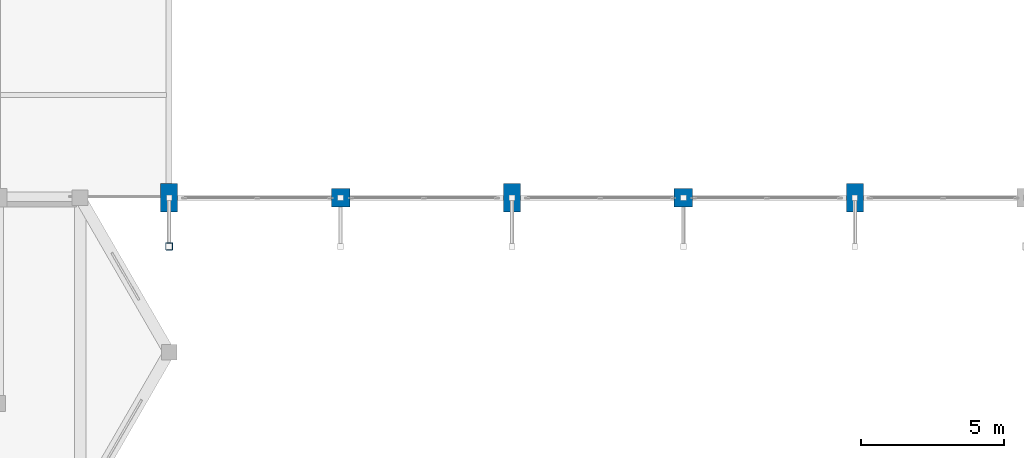
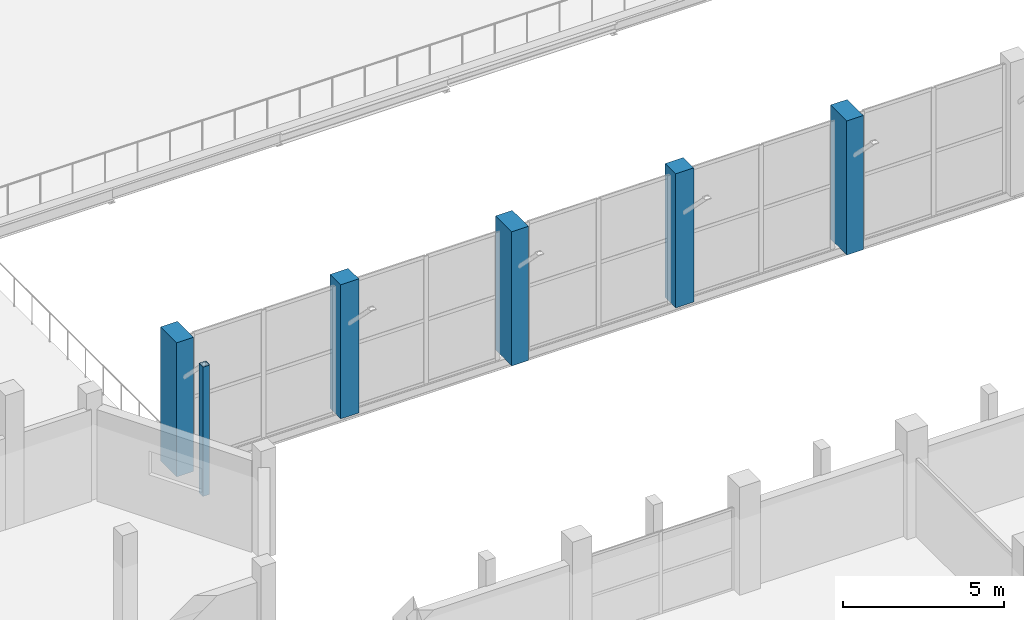
# One storey, part 2 of 127: 6 columns.
"""IFC4 building model written with IfcOpenShell, lengths in metres."""

import ifcopenshell
import ifcopenshell.guid

model = None  # the IFC model being written
_history = None  # IfcOwnerHistory: only IFC2X3 demands one
_inside = {}  # id of a spatial element -> (the spatial element, [elements in it])
_under = {}  # id of a project, library or spatial element -> (it, [spatial elements below it])
_declared = {}  # id of a project -> (the project, [libraries it declares])
_typed = {}  # id of a type object -> (the type object, [elements of that type])
_made_of = {}  # id of a material, layer set ... -> (it, [elements and type objects made of it])


def new_model(schema):
    """Start an empty IFC model of exactly this schema.

    Asked for "IFC4X3", IfcOpenShell would pick the latest addendum, in which some entities
    have other attributes; the version numbers below select the first issue.
    IFC2X3 requires an IfcOwnerHistory on every rooted entity: one is made here for all.
    """
    global model, _history
    if schema == "IFC4X3":
        model = ifcopenshell.file(schema_version=(4, 3, 0, 0))
    else:
        model = ifcopenshell.file(schema=schema)
    _inside.clear()
    _under.clear()
    _declared.clear()
    _typed.clear()
    _made_of.clear()
    _history = None
    if model.schema == "IFC2X3":
        org = make("IfcOrganization", Name="unknown")
        user = make(
            "IfcPersonAndOrganization",
            ThePerson=make("IfcPerson", FamilyName="unknown"),
            TheOrganization=org,
        )
        app = make(
            "IfcApplication",
            ApplicationDeveloper=org,
            Version="unknown",
            ApplicationFullName="unknown",
            ApplicationIdentifier="unknown",
        )
        _history = make(
            "IfcOwnerHistory",
            OwningUser=user,
            OwningApplication=app,
            ChangeAction="ADDED",
            CreationDate=0,
        )
    return model


def make(cls, **values):
    """One entity of the class cls with the attributes given. An attribute that is None is left unset."""
    return model.create_entity(
        cls, **{name: value for name, value in values.items() if value is not None}
    )


def rooted(cls, **values):
    """An entity with a GlobalId (a new one), such as an element, a storey or a relation."""
    return make(cls, GlobalId=ifcopenshell.guid.new(), OwnerHistory=_history, **values)


def si_unit(unit_type, name, prefix=None):
    """IfcSIUnit, for example si_unit("LENGTHUNIT", "METRE", prefix="MILLI")."""
    return make("IfcSIUnit", UnitType=unit_type, Prefix=prefix, Name=name)


def assignment(units):
    """IfcUnitAssignment: the units of a project."""
    return None if units is None else make("IfcUnitAssignment", Units=units)


def point(xyz):
    """IfcCartesianPoint."""
    return None if xyz is None else make("IfcCartesianPoint", Coordinates=xyz)


def direction(xyz):
    """IfcDirection."""
    return None if xyz is None else make("IfcDirection", DirectionRatios=xyz)


def frame(location, z_axis=None, x_axis=None):
    """IfcAxis2Placement3D, a coordinate frame: its origin and axes. An axis left out is left unset."""
    return make(
        "IfcAxis2Placement3D",
        Location=point(location),
        Axis=direction(z_axis),
        RefDirection=direction(x_axis),
    )


def frame_2d(location, x_axis=None):
    """IfcAxis2Placement2D, a coordinate frame in the plane: its origin and x axis."""
    return make(
        "IfcAxis2Placement2D", Location=point(location), RefDirection=direction(x_axis)
    )


def origin():
    """The frame at (0, 0, 0) with its axes left unset."""
    return frame((0.0, 0.0, 0.0))


def origin_2d():
    """The frame at (0, 0) in the plane with its x axis left unset."""
    return frame_2d((0.0, 0.0))


def place(relative_to, where):
    """IfcLocalPlacement: puts the frame where relative to a parent placement (None: the world)."""
    return make(
        "IfcLocalPlacement", PlacementRelTo=relative_to, RelativePlacement=where
    )


def context(
    kind, dimensions, precision=None, world=None, true_north=None, identifier=None
):
    """IfcGeometricRepresentationContext, for example the 3D "Model" context."""
    return make(
        "IfcGeometricRepresentationContext",
        ContextIdentifier=identifier,
        ContextType=kind,
        CoordinateSpaceDimension=dimensions,
        Precision=precision,
        WorldCoordinateSystem=world,
        TrueNorth=true_north,
    )


def subcontext(parent, identifier, kind, view, scale=None):
    """IfcGeometricRepresentationSubContext, for example "Body" below "Model"."""
    return make(
        "IfcGeometricRepresentationSubContext",
        ContextIdentifier=identifier,
        ContextType=kind,
        ParentContext=parent,
        TargetScale=scale,
        TargetView=view,
    )


def project(units=None, contexts=None):
    """IfcProject with its units and contexts."""
    return rooted(
        "IfcProject",
        Name="project",
        RepresentationContexts=contexts,
        UnitsInContext=assignment(units),
    )


def spatial(cls, under=None, at=None, **own):
    """A site, building, storey or space (cls), placed at a placement, below another one or the project."""
    s = rooted(cls, ObjectPlacement=at, **own)
    if under is not None:
        _under.setdefault(under.id(), (under, []))[1].append(s)
    return s


def profile(cls, at=None, kind="AREA", **sizes):
    """A parametric profile (cls). Its sizes go by their IFC names, for example OverallWidth=200.0."""
    return make(cls, ProfileType=kind, Position=at, **sizes)


def rectangle(**sizes):
    """IfcRectangleProfileDef."""
    return profile("IfcRectangleProfileDef", **sizes)


def hollow_rectangle(**sizes):
    """IfcRectangleHollowProfileDef."""
    return profile("IfcRectangleHollowProfileDef", **sizes)


def extrude(swept, where, along, depth):
    """IfcExtrudedAreaSolid: the profile swept, set in the frame where, extruded along a direction by depth."""
    return make(
        "IfcExtrudedAreaSolid",
        SweptArea=swept,
        Position=where,
        ExtrudedDirection=direction(along),
        Depth=depth,
    )


def shape(context_of_items, identifier, shape_type, items):
    """IfcShapeRepresentation: the items that make up one representation, for example the "Body"."""
    return make(
        "IfcShapeRepresentation",
        ContextOfItems=context_of_items,
        RepresentationIdentifier=identifier,
        RepresentationType=shape_type,
        Items=items,
    )


def material(Name=None, Category=None):
    """IfcMaterial."""
    return make("IfcMaterial", Name=Name, Category=Category)


def material_profile(
    of_material, cross_section, Name=None, Category=None, Priority=None
):
    """IfcMaterialProfile: a cross section and its material."""
    return make(
        "IfcMaterialProfile",
        Name=Name,
        Material=of_material,
        Profile=cross_section,
        Priority=Priority,
        Category=Category,
    )


def profile_set(profiles, Name=None, composite=None):
    """IfcMaterialProfileSet."""
    return make(
        "IfcMaterialProfileSet",
        Name=Name,
        MaterialProfiles=profiles,
        CompositeProfile=composite,
    )


def made_of(thing, what):
    """Note that an element or type object is made of a material, layer set ...; save() writes the relation."""
    if what is not None:
        _made_of.setdefault(what.id(), (what, []))[1].append(thing)
    return thing


def type_object(cls, material=None, **own):
    """A type object (cls), such as IfcWallType, which elements share."""
    return made_of(rooted(cls, **own), material)


def element(
    cls,
    number,
    at=None,
    inside=None,
    cuts=None,
    type_object=None,
    material=None,
    context=None,
    identifier="Body",
    shape_type=None,
    held_by="IfcProductDefinitionShape",
    body=None,
    shapes=None,
    **own,
):
    """One element of the class cls, such as IfcWall. Its Tag is "e" and its number.

    at: its placement. inside: the storey or other place that contains it. cuts: it is an
    opening in that element (IfcRelVoidsElement). A single representation is given by context,
    identifier, shape_type and body (its items); several are given by shapes. held_by: the class
    of the entity that holds the representations. save() writes the other relations.
    """
    e = rooted(cls, Tag="e%d" % number, ObjectPlacement=at, **own)
    if body is not None:
        shapes = [shape(context, identifier, shape_type, body)]
    if shapes is not None:
        e.Representation = make(held_by, Representations=shapes)
    if inside is not None:
        _inside.setdefault(inside.id(), (inside, []))[1].append(e)
    if cuts is not None:
        rooted(
            "IfcRelVoidsElement", RelatingBuildingElement=cuts, RelatedOpeningElement=e
        )
    if type_object is not None:
        _typed.setdefault(type_object.id(), (type_object, []))[1].append(e)
    return made_of(e, material)


def aggregate(whole, parts):
    """IfcRelAggregates: a whole, such as a stair, and the parts it consists of."""
    return rooted("IfcRelAggregates", RelatingObject=whole, RelatedObjects=parts)


def save(model, path):
    """Write the relations noted so far, then the file.

    IfcRelAggregates (storeys below a building ...), IfcRelContainedInSpatialStructure (elements
    in a storey), IfcRelDefinesByType, IfcRelAssociatesMaterial and IfcRelDeclares: one each for
    every whole, place, type object, material and project.
    """
    for whole, parts in _under.values():
        aggregate(whole, parts)
    for where, things in _inside.values():
        rooted(
            "IfcRelContainedInSpatialStructure",
            RelatedElements=things,
            RelatingStructure=where,
        )
    for kind, things in _typed.values():
        rooted("IfcRelDefinesByType", RelatedObjects=things, RelatingType=kind)
    for what, things in _made_of.values():
        rooted("IfcRelAssociatesMaterial", RelatedObjects=things, RelatingMaterial=what)
    for by, libraries in _declared.values():
        rooted("IfcRelDeclares", RelatingContext=by, RelatedDefinitions=libraries)
    model.write(path)


model = new_model("IFC4")

# Units and contexts
model_context = context("Model", 3, precision=1e-05, world=origin(), true_north=direction((0.0, 1.0)))
body_context = subcontext(model_context, "Body", "Model", "MODEL_VIEW")
ifc_project = project(units=[si_unit("LENGTHUNIT", "METRE"), si_unit("AREAUNIT", "SQUARE_METRE"), si_unit("VOLUMEUNIT", "CUBIC_METRE"), si_unit("PLANEANGLEUNIT", "RADIAN"), si_unit("MASSUNIT", "GRAM", prefix="KILO")], contexts=[model_context])

# Site, building, storey
site_placement = place(None, origin())
site = spatial("IfcSite", under=ifc_project, at=site_placement, CompositionType="ELEMENT")
building_placement = place(site_placement, origin())
building = spatial("IfcBuilding", under=site, at=building_placement, Name="Dunvalen Ferry Terminal", CompositionType="ELEMENT")
storey_placement = place(building_placement, frame((0.0, 0.0, 5.760009765625)))
storey = spatial("IfcBuildingStorey", under=building, at=storey_placement, Name="L01", CompositionType="ELEMENT", Elevation=5.760009765625)

# Columns
ifc_material_1 = material(Name="Concrete C40/50", Category="concrete")
ifc_material_profile_1 = material_profile(ifc_material_1, rectangle(XDim=0.60009765625, YDim=1.0, at=origin_2d()), Name="Concrete C40/50")
ifc_profile_set_1 = profile_set([ifc_material_profile_1], Name="Concrete C40/50")
column_type_1 = type_object("IfcColumnType", Name="STR-COL-PIER1000", PredefinedType="COLUMN", material=ifc_profile_set_1)
for number, where, z_axis, x_axis, name in (
    (1, (36.0, 50.39990234375, 0.0), (0.0, 0.0, 1.0), (1.0, 0.0, 0.0), "L01 Departure Hall Upper Pier 05"),
    (2, (48.0, 50.39990234375, 0.0), (0.0, 0.0, 1.0), (1.0, 0.0, 0.0), "L01 Departure Hall Upper Pier 07"),
    (3, (60.0, 50.39990234375, 0.0), (0.0, 0.0, 1.0), (1.0, 0.0, 0.0), "L01 Departure Hall Upper Pier 09"),
):
    element("IfcColumn", number, at=place(storey_placement, frame(where, z_axis=z_axis, x_axis=x_axis)), inside=storey, type_object=column_type_1, Name=name, PredefinedType="COLUMN", context=body_context, shape_type="SweptSolid", body=[
        extrude(rectangle(XDim=0.60009765625, YDim=1.0, at=origin_2d()), origin(), (0.0, 0.0, 1.0), 5.080078125),
    ])
ifc_material_profile_2 = material_profile(ifc_material_1, rectangle(XDim=0.64990234375, YDim=0.64990234375, at=origin_2d()), Name="Concrete C40/50")
ifc_profile_set_2 = profile_set([ifc_material_profile_2], Name="Concrete C40/50")
column_type_2 = type_object("IfcColumnType", Name="STR-COL-RC650", PredefinedType="COLUMN", material=ifc_profile_set_2)
for number, where, z_axis, x_axis, name in (
    (4, (42.0, 50.39990234375, 0.0), (0.0, 0.0, 1.0), (1.0, 0.0, 0.0), "L01 Departure Hall Upper Pier 06"),
    (5, (54.0, 50.39990234375, 0.0), (0.0, 0.0, 1.0), (1.0, 0.0, 0.0), "L01 Departure Hall Upper Pier 08"),
):
    element("IfcColumn", number, at=place(storey_placement, frame(where, z_axis=z_axis, x_axis=x_axis)), inside=storey, type_object=column_type_2, Name=name, PredefinedType="COLUMN", context=body_context, shape_type="SweptSolid", body=[
        extrude(rectangle(XDim=0.64990234375, YDim=0.64990234375, at=origin_2d()), origin(), (0.0, 0.0, 1.0), 5.080078125),
    ])
ifc_material_2 = material(Name="Steel S355", Category="steel")
ifc_material_profile_3 = material_profile(ifc_material_2, hollow_rectangle(XDim=0.25, YDim=0.25, WallThickness=0.010009765625, InnerFilletRadius=0.010009765625, OuterFilletRadius=0.02001953125, at=origin_2d()), Name="Steel S355")
ifc_profile_set_3 = profile_set([ifc_material_profile_3], Name="Steel S355")
column_type_3 = type_object("IfcColumnType", Name="STR-COL-SHS250", PredefinedType="COLUMN", material=ifc_profile_set_3)
column_placement = place(storey_placement, frame((36.0, 48.699951171875, 0.0), z_axis=(0.0, 0.0, 1.0), x_axis=(1.0, 0.0, 0.0)))
element("IfcColumn", 6, at=column_placement, inside=storey, type_object=column_type_3, Name="L01 Eave Colonnade Post 4", PredefinedType="COLUMN", context=body_context, shape_type="SweptSolid", body=[
    extrude(hollow_rectangle(XDim=0.25, YDim=0.25, WallThickness=0.010009765625, InnerFilletRadius=0.010009765625, OuterFilletRadius=0.02001953125, at=origin_2d()), origin(), (0.0, 0.0, 1.0), 4.89990234375),
])

save(model, "model.ifc")
